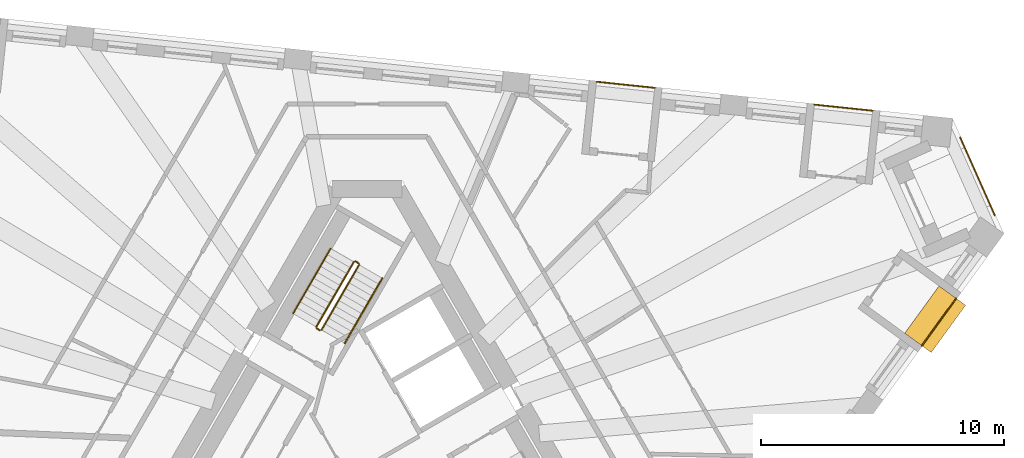
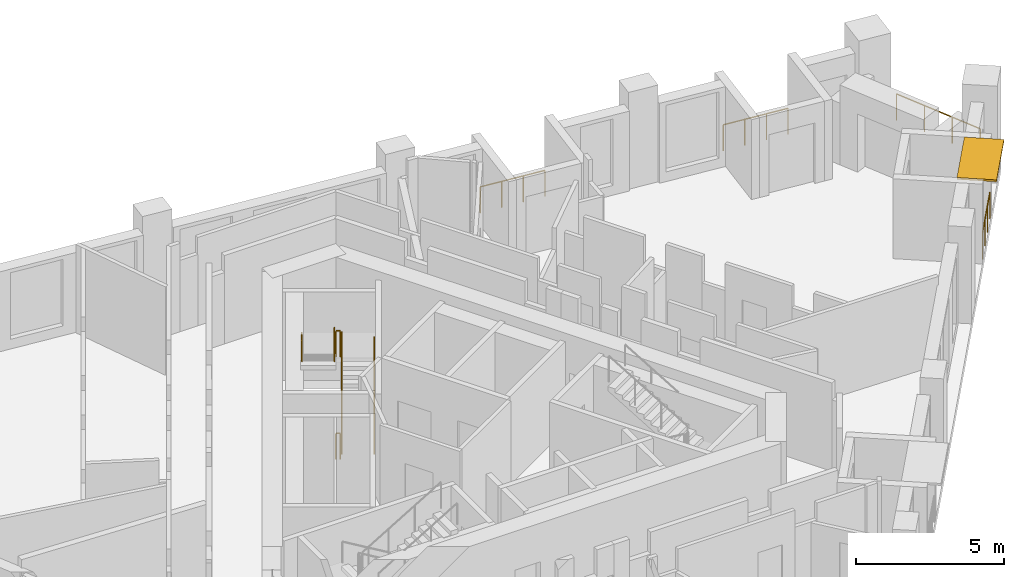
# One storey, part 11 of 11: 10 railings, 1 shading device.
"""IFC4 building model written with IfcOpenShell, lengths in metres."""

from ifc_helpers import new_model, si_unit, direction, frame, origin, origin_2d, place, context, subcontext, project, spatial, rectangle, circle, extrude, material, layer, layer_set, type_object, element, save


model = new_model("IFC4")

# Units and contexts
model_context = context("Model", 3, precision=1e-05, world=origin(), true_north=direction((0.0, 1.0)))
body_context = subcontext(model_context, "Body", "Model", "MODEL_VIEW")
ifc_project = project(units=[si_unit("LENGTHUNIT", "METRE"), si_unit("AREAUNIT", "SQUARE_METRE"), si_unit("VOLUMEUNIT", "CUBIC_METRE"), si_unit("PLANEANGLEUNIT", "RADIAN"), si_unit("MASSUNIT", "GRAM", prefix="KILO")], contexts=[model_context])

# Site, building, storey
site_placement = place(None, origin())
site = spatial("IfcSite", under=ifc_project, at=site_placement, CompositionType="ELEMENT")
building_placement = place(site_placement, origin())
building = spatial("IfcBuilding", under=site, at=building_placement, Name="Tramontana Tower", CompositionType="ELEMENT")
storey_placement = place(building_placement, frame((0.0, 0.0, 265.199951171875)))
storey = spatial("IfcBuildingStorey", under=building, at=storey_placement, Name="L62", CompositionType="ELEMENT", Elevation=265.199951171875)

# Railings
ifc_material_1 = material(Name="Laminated glass balustrade", Category="glass")
railing_type_1 = type_object("IfcRailingType", Name="GD1 Loggia glass balustrade 1100", PredefinedType="BALUSTRADE", material=ifc_material_1)
railing_1_placement = place(storey_placement, frame((22.802001953125, 4.21435546875, 0.0)))
element("IfcRailing", 1, at=railing_1_placement, inside=storey, type_object=railing_type_1, Name="Loggia balustrade L62 G6S1.13", PredefinedType="BALUSTRADE", context=body_context, shape_type="SweptSolid", body=[
    extrude(circle(Radius=0.02392578125, at=origin_2d()), frame((0.0, 0.0, 1.076171875), z_axis=(0.587718396543, 0.8090655637, 0.0), x_axis=(-0.8090655637, 0.587718396543, 0.0)), (0.0, 0.0, 1.0), 2.40234375),
    extrude(circle(Radius=0.02099609375, at=origin_2d()), origin(), (0.0, 0.0, 1.0), 1.052001953125),
    extrude(circle(Radius=0.02099609375, at=origin_2d()), frame((0.470703125, 0.64794921875, 0.0)), (0.0, 0.0, 1.0), 1.052001953125),
    extrude(circle(Radius=0.02099609375, at=origin_2d()), frame((0.941162109375, 1.295654296875, 0.0)), (0.0, 0.0, 1.0), 1.052001953125),
    extrude(circle(Radius=0.02099609375, at=origin_2d()), frame((1.411865234375, 1.943603515625, 0.0)), (0.0, 0.0, 1.0), 1.052001953125),
])
for number, where, name in (
    (2, (20.778564453125, 13.8740234375, 0.0), "Loggia balustrade L62 G6S2.1"),
    (3, (11.8212890625, 14.8154296875, 0.0), "Loggia balustrade L62 G6S2.4"),
):
    element("IfcRailing", number, at=place(storey_placement, frame(where)), inside=storey, type_object=railing_type_1, Name=name, PredefinedType="BALUSTRADE", context=body_context, shape_type="SweptSolid", body=[
        extrude(circle(Radius=0.02392578125, at=origin_2d()), frame((0.0, 0.0, 1.076171875), z_axis=(-0.994517140727, 0.104573690763, 0.0), x_axis=(-0.104573690763, -0.994517140727, 0.0)), (0.0, 0.0, 1.0), 2.40234375),
        extrude(circle(Radius=0.02099609375, at=origin_2d()), origin(), (0.0, 0.0, 1.0), 1.052001953125),
        extrude(circle(Radius=0.02099609375, at=origin_2d()), frame((-0.79638671875, 0.083740234375, 0.0)), (0.0, 0.0, 1.0), 1.052001953125),
        extrude(circle(Radius=0.02099609375, at=origin_2d()), frame((-1.5927734375, 0.16748046875, 0.0)), (0.0, 0.0, 1.0), 1.052001953125),
        extrude(circle(Radius=0.02099609375, at=origin_2d()), frame((-2.38916015625, 0.251220703125, 0.0)), (0.0, 0.0, 1.0), 1.052001953125),
    ])
railing_2_placement = place(storey_placement, frame((24.38330078125, 12.771728515625, 0.0)))
element("IfcRailing", 4, at=railing_2_placement, inside=storey, type_object=railing_type_1, Name="Corner loggia balustrade L62 K62", PredefinedType="BALUSTRADE", context=body_context, shape_type="SweptSolid", body=[
    extrude(circle(Radius=0.02392578125, at=origin_2d()), frame((0.0, 0.0, 1.076171875), z_axis=(0.406753242783, -0.913538066796, 0.0), x_axis=(0.913538066796, 0.406753242783, 0.0)), (0.0, 0.0, 1.0), 3.499755859375),
    extrude(circle(Radius=0.02099609375, at=origin_2d()), origin(), (0.0, 0.0, 1.0), 1.052001953125),
    extrude(circle(Radius=0.02099609375, at=origin_2d()), frame((0.474609375, -1.065673828125, 0.0)), (0.0, 0.0, 1.0), 1.052001953125),
    extrude(circle(Radius=0.02099609375, at=origin_2d()), frame((0.948974609375, -2.131591796875, 0.0)), (0.0, 0.0, 1.0), 1.052001953125),
    extrude(circle(Radius=0.02099609375, at=origin_2d()), frame((1.423583984375, -3.197265625, 0.0)), (0.0, 0.0, 1.0), 1.052001953125),
])

# Shading device
ifc_material_2 = material(Name="Precast concrete 60 MPa", Category="concrete")
ifc_layer = layer(ifc_material_2, 0.080078125)
ifc_layer_set = layer_set([ifc_layer], Name="SS3 Stone sunshade blade 80")
shading_device_type = type_object("IfcShadingDeviceType", Name="SS3 Stone sunshade blade 80", PredefinedType="USERDEFINED", material=ifc_layer_set)
shading_device_placement = place(storey_placement, frame((23.35009765625, 5.30078125, 3.219970703125), z_axis=(0.0, 0.0, 1.0), x_axis=(0.587785252292, 0.809016994375, 0.0)))
element("IfcShadingDevice", 5, at=shading_device_placement, inside=storey, type_object=shading_device_type, Name="Sunshade L62 G6S1.13", ObjectType="SUNSHADE", PredefinedType="USERDEFINED", context=body_context, shape_type="SweptSolid", body=[
    extrude(rectangle(XDim=2.402099609375, YDim=1.35009765625, at=origin_2d()), origin(), (0.0, 0.0, 1.0), 0.080078125),
])

# Railings
ifc_material_3 = material(Name="Painted steel", Category="steel")
railing_type_2 = type_object("IfcRailingType", Name="STAIR GUARD 1100", PredefinedType="GUARDRAIL", material=ifc_material_3)
railing_3_placement = place(storey_placement, frame((-1.867431640625, 4.865478515625, 0.166748046875)))
element("IfcRailing", 6, at=railing_3_placement, inside=storey, type_object=railing_type_2, Name="L62 ST1 stair guard 1", PredefinedType="GUARDRAIL", context=body_context, shape_type="SweptSolid", body=[
    extrude(circle(Radius=0.02392578125, at=origin_2d()), frame((0.0, 0.0, 1.076171875), z_axis=(0.429649414936, 0.744189839504, 0.511451721109), x_axis=(-0.866029832698, 0.499992328818, 0.0)), (0.0, 0.0, 1.0), 3.58447265625),
    extrude(circle(Radius=0.02099609375, at=origin_2d()), origin(), (0.0, 0.0, 1.0), 1.052001953125),
    extrude(circle(Radius=0.02099609375, at=origin_2d()), frame((0.513427734375, 0.88916015625, 0.611083984375)), (0.0, 0.0, 1.0), 1.052001953125),
    extrude(circle(Radius=0.02099609375, at=origin_2d()), frame((1.026611328125, 1.7783203125, 1.22216796875)), (0.0, 0.0, 1.0), 1.052001953125),
    extrude(circle(Radius=0.02099609375, at=origin_2d()), frame((1.5400390625, 2.66748046875, 1.833251953125)), (0.0, 0.0, 1.0), 1.052001953125),
])
railing_4_placement = place(storey_placement, frame((-0.5439453125, 7.657958984375, 2.166748046875)))
element("IfcRailing", 7, at=railing_4_placement, inside=storey, type_object=railing_type_2, Name="L62 ST1 stair guard 2", PredefinedType="GUARDRAIL", context=body_context, shape_type="SweptSolid", body=[
    extrude(circle(Radius=0.02392578125, at=origin_2d()), frame((0.0, 0.0, 1.076171875), z_axis=(-0.429649414936, -0.744189839504, 0.511451721109), x_axis=(0.866029832698, -0.499992328818, 0.0)), (0.0, 0.0, 1.0), 3.58447265625),
    extrude(circle(Radius=0.02099609375, at=origin_2d()), origin(), (0.0, 0.0, 1.0), 1.052001953125),
    extrude(circle(Radius=0.02099609375, at=origin_2d()), frame((-0.513427734375, -0.88916015625, 0.611083984375)), (0.0, 0.0, 1.0), 1.052001953125),
    extrude(circle(Radius=0.02099609375, at=origin_2d()), frame((-1.026611328125, -1.7783203125, 1.22216796875)), (0.0, 0.0, 1.0), 1.052001953125),
    extrude(circle(Radius=0.02099609375, at=origin_2d()), frame((-1.5400390625, -2.66748046875, 1.833251953125)), (0.0, 0.0, 1.0), 1.052001953125),
])
railing_5_placement = place(storey_placement, frame((-0.345703125, 7.601318359375, 2.0)))
element("IfcRailing", 8, at=railing_5_placement, inside=storey, type_object=railing_type_2, Name="L62 ST1 stair guard 3", PredefinedType="GUARDRAIL", context=body_context, shape_type="SweptSolid", body=[
    extrude(circle(Radius=0.02392578125, at=origin_2d()), frame((0.0, 0.0, 1.076171875), z_axis=(-0.866131372301, 0.499816412211, 0.0), x_axis=(-0.499816412211, -0.866131372301, 0.0)), (0.0, 0.0, 1.0), 0.14990234375),
    extrude(circle(Radius=0.02099609375, at=origin_2d()), origin(), (0.0, 0.0, 1.0), 1.052001953125),
    extrude(circle(Radius=0.02099609375, at=origin_2d()), frame((-0.1298828125, 0.074951171875, 0.0)), (0.0, 0.0, 1.0), 1.052001953125),
])
railing_6_placement = place(storey_placement, frame((-1.935791015625, 4.84716796875, 0.0)))
element("IfcRailing", 9, at=railing_6_placement, inside=storey, type_object=railing_type_2, Name="L62 ST1 stair guard 4", PredefinedType="GUARDRAIL", context=body_context, shape_type="SweptSolid", body=[
    extrude(circle(Radius=0.02392578125, at=origin_2d()), frame((0.0, 0.0, 1.076171875), z_axis=(-0.865426285481, 0.501036270542, 0.0), x_axis=(-0.501036270542, -0.865426285481, 0.0)), (0.0, 0.0, 1.0), 0.150146484375),
    extrude(circle(Radius=0.02099609375, at=origin_2d()), origin(), (0.0, 0.0, 1.0), 1.052001953125),
    extrude(circle(Radius=0.02099609375, at=origin_2d()), frame((-0.1298828125, 0.0751953125, 0.0)), (0.0, 0.0, 1.0), 1.052001953125),
])
ifc_material_4 = material(Name="Painted steel", Category="steel")
railing_type_3 = type_object("IfcRailingType", Name="STAIR HANDRAIL 900", PredefinedType="HANDRAIL", material=ifc_material_4)
railing_7_placement = place(storey_placement, frame((-0.914794921875, 4.315673828125, 0.166748046875)))
element("IfcRailing", 10, at=railing_7_placement, inside=storey, type_object=railing_type_3, Name="L62 ST1 stair handrail 1", PredefinedType="HANDRAIL", context=body_context, shape_type="SweptSolid", body=[
    extrude(circle(Radius=0.02392578125, at=origin_2d()), frame((0.0, 0.0, 0.8759765625), z_axis=(0.429671193721, 0.744159446956, 0.511477646425), x_axis=(-0.866010015463, 0.500026652407, 0.0)), (0.0, 0.0, 1.0), 3.584228515625),
    extrude(circle(Radius=0.02099609375, at=origin_2d()), origin(), (0.0, 0.0, 1.0), 0.851806640625),
    extrude(circle(Radius=0.02099609375, at=origin_2d()), frame((0.513427734375, 0.88916015625, 0.611083984375)), (0.0, 0.0, 1.0), 0.851806640625),
    extrude(circle(Radius=0.02099609375, at=origin_2d()), frame((1.026611328125, 1.778076171875, 1.22216796875)), (0.0, 0.0, 1.0), 0.851806640625),
    extrude(circle(Radius=0.02099609375, at=origin_2d()), frame((1.5400390625, 2.667236328125, 1.833251953125)), (0.0, 0.0, 1.0), 0.851806640625),
])
railing_8_placement = place(storey_placement, frame((-1.49658203125, 8.2080078125, 2.166748046875)))
element("IfcRailing", 11, at=railing_8_placement, inside=storey, type_object=railing_type_3, Name="L62 ST1 stair handrail 2", PredefinedType="HANDRAIL", context=body_context, shape_type="SweptSolid", body=[
    extrude(circle(Radius=0.02392578125, at=origin_2d()), frame((0.0, 0.0, 0.8759765625), z_axis=(-0.429649414936, -0.744189839504, 0.511451721109), x_axis=(0.866029832698, -0.499992328818, 0.0)), (0.0, 0.0, 1.0), 3.58447265625),
    extrude(circle(Radius=0.02099609375, at=origin_2d()), origin(), (0.0, 0.0, 1.0), 0.851806640625),
    extrude(circle(Radius=0.02099609375, at=origin_2d()), frame((-0.513427734375, -0.88916015625, 0.611083984375)), (0.0, 0.0, 1.0), 0.851806640625),
    extrude(circle(Radius=0.02099609375, at=origin_2d()), frame((-1.026611328125, -1.7783203125, 1.22216796875)), (0.0, 0.0, 1.0), 0.851806640625),
    extrude(circle(Radius=0.02099609375, at=origin_2d()), frame((-1.5400390625, -2.66748046875, 1.833251953125)), (0.0, 0.0, 1.0), 0.851806640625),
])

save(model, "model.ifc")
